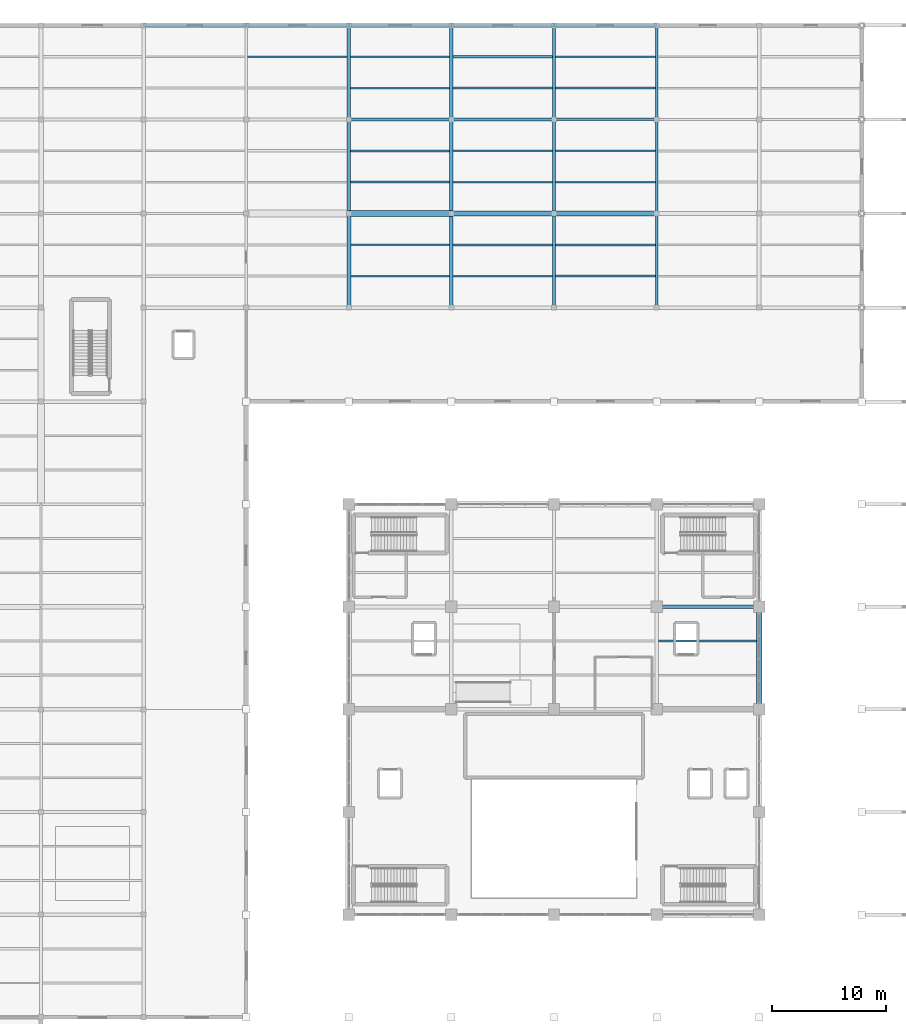
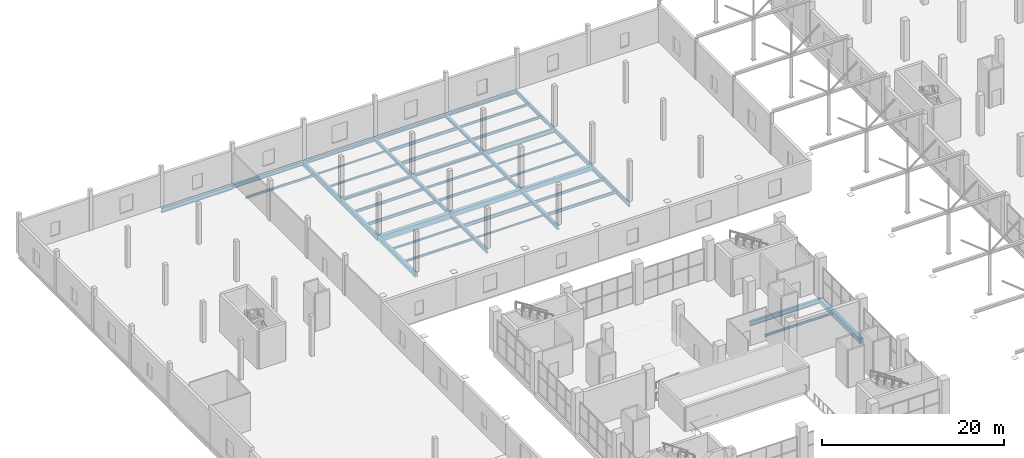
# One storey, part 56 of 147: 45 beams.
"""IFC4 building model written with IfcOpenShell, lengths in metres."""

from ifc_helpers import new_model, si_unit, direction, frame, origin, origin_2d, place, context, subcontext, project, spatial, rectangle, i_section, extrude, material, material_profile, profile_set, type_object, element, save


model = new_model("IFC4")

# Units and contexts
model_context = context("Model", 3, precision=1e-05, world=origin(), true_north=direction((0.0, 1.0)))
body_context = subcontext(model_context, "Body", "Model", "MODEL_VIEW")
ifc_project = project(units=[si_unit("LENGTHUNIT", "METRE"), si_unit("AREAUNIT", "SQUARE_METRE"), si_unit("VOLUMEUNIT", "CUBIC_METRE"), si_unit("PLANEANGLEUNIT", "RADIAN"), si_unit("MASSUNIT", "GRAM", prefix="KILO")], contexts=[model_context])

# Site, building, storey
site_placement = place(None, origin())
site = spatial("IfcSite", under=ifc_project, at=site_placement, CompositionType="ELEMENT")
building_placement = place(site_placement, origin())
building = spatial("IfcBuilding", under=site, at=building_placement, Name="Sundgate Opera House", CompositionType="ELEMENT")
storey_placement = place(building_placement, frame((0.0, 0.0, 6.0)))
storey = spatial("IfcBuildingStorey", under=building, at=storey_placement, Name="L01", CompositionType="ELEMENT", Elevation=6.0)

# Beams
ifc_material_1 = material(Name="Steel S355J2", Category="steel")
ifc_material_profile_1 = material_profile(ifc_material_1, i_section(OverallWidth=0.300048828125, OverallDepth=0.330078125, WebThickness=0.009521484375, FlangeThickness=0.0166015625, at=origin_2d()), Name="HEA 340")
ifc_profile_set_1 = profile_set([ifc_material_profile_1], Name="Steel S355J2")
beam_type_1 = type_object("IfcBeamType", Name="BM-GR-HEA340", PredefinedType="BEAM", material=ifc_profile_set_1)
beam_1_placement = place(storey_placement, frame((45.0, 111.75, -0.465087890625), z_axis=(1.0, 0.0, 0.0), x_axis=(0.0, 1.0, 0.0)))
element("IfcBeam", 1, at=beam_1_placement, inside=storey, type_object=beam_type_1, Name="L01 Primary E-W Girder B1437", PredefinedType="BEAM", context=body_context, shape_type="SweptSolid", body=[
    extrude(i_section(OverallWidth=0.300048828125, OverallDepth=0.330078125, WebThickness=0.009521484375, FlangeThickness=0.0166015625, at=origin_2d()), origin(), (0.0, 0.0, 1.0), 9.0),
])
ifc_material_2 = material(Name="Steel S355J2", Category="steel")
ifc_material_profile_2 = material_profile(ifc_material_2, i_section(OverallWidth=0.300048828125, OverallDepth=0.35009765625, WebThickness=0.010009765625, FlangeThickness=0.017578125, at=origin_2d()), Name="HEA 360")
ifc_profile_set_2 = profile_set([ifc_material_profile_2], Name="Steel S355J2")
beam_type_2 = type_object("IfcBeamType", Name="BM-GR-HEA360", PredefinedType="BEAM", material=ifc_profile_set_2)
for number, where, z_axis, x_axis, name in (
    (2, (36.0, 111.75, -0.47509765625), (1.0, 0.0, 0.0), (0.0, 1.0, 0.0), "L01 Primary E-W Girder B1436"),
    (3, (54.0, 120.0, -0.47509765625), (1.0, 0.0, 0.0), (0.0, 1.0, 0.0), "L01 Primary E-W Girder B1458"),
):
    element("IfcBeam", number, at=place(storey_placement, frame(where, z_axis=z_axis, x_axis=x_axis)), inside=storey, type_object=beam_type_2, Name=name, PredefinedType="BEAM", context=body_context, shape_type="SweptSolid", body=[
        extrude(i_section(OverallWidth=0.300048828125, OverallDepth=0.35009765625, WebThickness=0.010009765625, FlangeThickness=0.017578125, at=origin_2d()), origin(), (0.0, 0.0, 1.0), 9.0),
    ])
ifc_material_3 = material(Name="Steel S355J2", Category="steel")
ifc_material_profile_3 = material_profile(ifc_material_3, i_section(OverallWidth=0.300048828125, OverallDepth=0.389892578125, WebThickness=0.010986328125, FlangeThickness=0.01904296875, at=origin_2d()), Name="HEA 400")
ifc_profile_set_3 = profile_set([ifc_material_profile_3], Name="Steel S355J2")
beam_type_3 = type_object("IfcBeamType", Name="BM-GR-HEA400", PredefinedType="BEAM", material=ifc_profile_set_3)
beam_2_placement = place(storey_placement, frame((54.0, 111.75, -0.4951171875), z_axis=(0.0, 1.0, 0.0), x_axis=(-1.0, 0.0, 0.0)))
element("IfcBeam", 4, at=beam_2_placement, inside=storey, type_object=beam_type_3, Name="L01 Primary N-S Girder B1127", PredefinedType="BEAM", context=body_context, shape_type="SweptSolid", body=[
    extrude(i_section(OverallWidth=0.300048828125, OverallDepth=0.389892578125, WebThickness=0.010986328125, FlangeThickness=0.01904296875, at=origin_2d()), origin(), (0.0, 0.0, 1.0), 8.25),
])
beam_3_placement = place(storey_placement, frame((45.0, 120.0, -0.4951171875), z_axis=(1.0, 0.0, 0.0), x_axis=(0.0, 1.0, 0.0)))
element("IfcBeam", 5, at=beam_3_placement, inside=storey, type_object=beam_type_3, Name="L01 Primary E-W Girder B1457", PredefinedType="BEAM", context=body_context, shape_type="SweptSolid", body=[
    extrude(i_section(OverallWidth=0.300048828125, OverallDepth=0.389892578125, WebThickness=0.010986328125, FlangeThickness=0.01904296875, at=origin_2d()), origin(), (0.0, 0.0, 1.0), 9.0),
])
ifc_material_4 = material(Name="Steel S355J2", Category="steel")
ifc_material_profile_4 = material_profile(ifc_material_4, i_section(OverallWidth=0.300048828125, OverallDepth=0.43994140625, WebThickness=0.011474609375, FlangeThickness=0.02099609375, at=origin_2d()), Name="HEA 450")
ifc_profile_set_4 = profile_set([ifc_material_profile_4], Name="Steel S355J2")
beam_type_4 = type_object("IfcBeamType", Name="BM-GR-HEA450", PredefinedType="BEAM", material=ifc_profile_set_4)
beam_4_placement = place(storey_placement, frame((54.0, 103.5, -0.52001953125), z_axis=(0.0, 1.0, 0.0), x_axis=(-1.0, 0.0, 0.0)))
element("IfcBeam", 6, at=beam_4_placement, inside=storey, type_object=beam_type_4, Name="L01 Primary N-S Girder B1126", PredefinedType="BEAM", context=body_context, shape_type="SweptSolid", body=[
    extrude(i_section(OverallWidth=0.300048828125, OverallDepth=0.43994140625, WebThickness=0.011474609375, FlangeThickness=0.02099609375, at=origin_2d()), origin(), (0.0, 0.0, 1.0), 8.25),
])
beam_5_placement = place(storey_placement, frame((36.0, 120.0, -0.52001953125), z_axis=(1.0, 0.0, 0.0), x_axis=(0.0, 1.0, 0.0)))
element("IfcBeam", 7, at=beam_5_placement, inside=storey, type_object=beam_type_4, Name="L01 Primary E-W Girder B1456", PredefinedType="BEAM", context=body_context, shape_type="SweptSolid", body=[
    extrude(i_section(OverallWidth=0.300048828125, OverallDepth=0.43994140625, WebThickness=0.011474609375, FlangeThickness=0.02099609375, at=origin_2d()), origin(), (0.0, 0.0, 1.0), 9.0),
])
ifc_material_5 = material(Name="Steel S355J2", Category="steel")
ifc_material_profile_5 = material_profile(ifc_material_5, i_section(OverallWidth=0.300048828125, OverallDepth=0.489990234375, WebThickness=0.011962890625, FlangeThickness=0.02294921875, at=origin_2d()), Name="HEA 500")
ifc_profile_set_5 = profile_set([ifc_material_profile_5], Name="Steel S355J2")
beam_type_5 = type_object("IfcBeamType", Name="BM-GR-HEA500", PredefinedType="BEAM", material=ifc_profile_set_5)
beam_6_placement = place(storey_placement, frame((54.0, 95.25, -0.544921875), z_axis=(0.0, 1.0, 0.0), x_axis=(-1.0, 0.0, 0.0)))
element("IfcBeam", 8, at=beam_6_placement, inside=storey, type_object=beam_type_5, Name="L01 Primary N-S Girder B1125", PredefinedType="BEAM", context=body_context, shape_type="SweptSolid", body=[
    extrude(i_section(OverallWidth=0.300048828125, OverallDepth=0.489990234375, WebThickness=0.011962890625, FlangeThickness=0.02294921875, at=origin_2d()), origin(), (0.0, 0.0, 1.0), 8.25),
])
beam_7_placement = place(storey_placement, frame((27.0, 120.0, -0.544921875), z_axis=(1.0, 0.0, 0.0), x_axis=(0.0, 1.0, 0.0)))
element("IfcBeam", 9, at=beam_7_placement, inside=storey, type_object=beam_type_5, Name="L01 Primary E-W Girder B1455", PredefinedType="BEAM", context=body_context, shape_type="SweptSolid", body=[
    extrude(i_section(OverallWidth=0.300048828125, OverallDepth=0.489990234375, WebThickness=0.011962890625, FlangeThickness=0.02294921875, at=origin_2d()), origin(), (0.0, 0.0, 1.0), 9.0),
])
ifc_material_6 = material(Name="Steel S355J2", Category="steel")
ifc_material_profile_6 = material_profile(ifc_material_6, i_section(OverallWidth=0.300048828125, OverallDepth=0.590087890625, WebThickness=0.012939453125, FlangeThickness=0.02490234375, at=origin_2d()), Name="HEA 600")
ifc_profile_set_6 = profile_set([ifc_material_profile_6], Name="Steel S355J2")
beam_type_6 = type_object("IfcBeamType", Name="BM-GR-HEA600", PredefinedType="BEAM", material=ifc_profile_set_6)
beam_8_placement = place(storey_placement, frame((18.0, 120.0, -0.594970703125), z_axis=(1.0, 0.0, 0.0), x_axis=(0.0, 1.0, 0.0)))
element("IfcBeam", 10, at=beam_8_placement, inside=storey, type_object=beam_type_6, Name="L01 Primary E-W Girder B1454", PredefinedType="BEAM", context=body_context, shape_type="SweptSolid", body=[
    extrude(i_section(OverallWidth=0.300048828125, OverallDepth=0.590087890625, WebThickness=0.012939453125, FlangeThickness=0.02490234375, at=origin_2d()), origin(), (0.0, 0.0, 1.0), 9.0),
])
ifc_material_7 = material(Name="Steel S355J2", Category="steel")
ifc_material_profile_7 = material_profile(ifc_material_7, i_section(OverallWidth=0.300048828125, OverallDepth=0.39990234375, WebThickness=0.013427734375, FlangeThickness=0.02392578125, at=origin_2d()), Name="HEB 400")
ifc_profile_set_7 = profile_set([ifc_material_profile_7], Name="Steel S355J2")
beam_type_7 = type_object("IfcBeamType", Name="BM-GR-HEB400", PredefinedType="BEAM", material=ifc_profile_set_7)
beam_9_placement = place(storey_placement, frame((45.0, 111.75, -0.5), z_axis=(0.0, 1.0, 0.0), x_axis=(-1.0, 0.0, 0.0)))
element("IfcBeam", 11, at=beam_9_placement, inside=storey, type_object=beam_type_7, Name="L01 Primary N-S Girder B1122", PredefinedType="BEAM", context=body_context, shape_type="SweptSolid", body=[
    extrude(i_section(OverallWidth=0.300048828125, OverallDepth=0.39990234375, WebThickness=0.013427734375, FlangeThickness=0.02392578125, at=origin_2d()), origin(), (0.0, 0.0, 1.0), 8.25),
])
ifc_material_8 = material(Name="Steel S355J2", Category="steel")
ifc_material_profile_8 = material_profile(ifc_material_8, i_section(OverallWidth=0.300048828125, OverallDepth=0.449951171875, WebThickness=0.013916015625, FlangeThickness=0.02587890625, at=origin_2d()), Name="HEB 450")
ifc_profile_set_8 = profile_set([ifc_material_profile_8], Name="Steel S355J2")
beam_type_8 = type_object("IfcBeamType", Name="BM-GR-HEB450", PredefinedType="BEAM", material=ifc_profile_set_8)
beam_10_placement = place(storey_placement, frame((45.0, 103.5, -0.52490234375), z_axis=(0.0, 1.0, 0.0), x_axis=(-1.0, 0.0, 0.0)))
element("IfcBeam", 12, at=beam_10_placement, inside=storey, type_object=beam_type_8, Name="L01 Primary N-S Girder B1121", PredefinedType="BEAM", context=body_context, shape_type="SweptSolid", body=[
    extrude(i_section(OverallWidth=0.300048828125, OverallDepth=0.449951171875, WebThickness=0.013916015625, FlangeThickness=0.02587890625, at=origin_2d()), origin(), (0.0, 0.0, 1.0), 8.25),
])
ifc_material_9 = material(Name="Steel S355J2", Category="steel")
ifc_material_profile_9 = material_profile(ifc_material_9, i_section(OverallWidth=0.300048828125, OverallDepth=0.5, WebThickness=0.014404296875, FlangeThickness=0.028076171875, at=origin_2d()), Name="HEB 500")
ifc_profile_set_9 = profile_set([ifc_material_profile_9], Name="Steel S355J2")
beam_type_9 = type_object("IfcBeamType", Name="BM-GR-HEB500", PredefinedType="BEAM", material=ifc_profile_set_9)
beam_11_placement = place(storey_placement, frame((45.0, 95.25, -0.550048828125), z_axis=(0.0, 1.0, 0.0), x_axis=(-1.0, 0.0, 0.0)))
element("IfcBeam", 13, at=beam_11_placement, inside=storey, type_object=beam_type_9, Name="L01 Primary N-S Girder B1120", PredefinedType="BEAM", context=body_context, shape_type="SweptSolid", body=[
    extrude(i_section(OverallWidth=0.300048828125, OverallDepth=0.5, WebThickness=0.014404296875, FlangeThickness=0.028076171875, at=origin_2d()), origin(), (0.0, 0.0, 1.0), 8.25),
])
ifc_material_10 = material(Name="Steel S355J2", Category="steel")
ifc_material_profile_10 = material_profile(ifc_material_10, i_section(OverallWidth=0.300048828125, OverallDepth=0.60009765625, WebThickness=0.015380859375, FlangeThickness=0.030029296875, at=origin_2d()), Name="HEB 600")
ifc_profile_set_10 = profile_set([ifc_material_profile_10], Name="Steel S355J2")
beam_type_10 = type_object("IfcBeamType", Name="BM-GR-HEB600", PredefinedType="BEAM", material=ifc_profile_set_10)
beam_12_placement = place(storey_placement, frame((63.0, 69.0, -0.60009765625), z_axis=(1.0, 0.0, 0.0), x_axis=(0.0, 1.0, 0.0)))
element("IfcBeam", 14, at=beam_12_placement, inside=storey, type_object=beam_type_10, Name="L01 Primary E-W Girder B1360", PredefinedType="BEAM", context=body_context, shape_type="SweptSolid", body=[
    extrude(i_section(OverallWidth=0.300048828125, OverallDepth=0.60009765625, WebThickness=0.015380859375, FlangeThickness=0.030029296875, at=origin_2d()), origin(), (0.0, 0.0, 1.0), 9.0),
])
ifc_material_11 = material(Name="Steel S355J2", Category="steel")
ifc_material_profile_11 = material_profile(ifc_material_11, i_section(OverallWidth=0.300048828125, OverallDepth=0.64990234375, WebThickness=0.01611328125, FlangeThickness=0.031005859375, at=origin_2d()), Name="HEB 650")
ifc_profile_set_11 = profile_set([ifc_material_profile_11], Name="Steel S355J2")
beam_type_11 = type_object("IfcBeamType", Name="BM-GR-HEB650", PredefinedType="BEAM", material=ifc_profile_set_11)
beam_13_placement = place(storey_placement, frame((36.0, 111.75, -0.625), z_axis=(0.0, 1.0, 0.0), x_axis=(-1.0, 0.0, 0.0)))
element("IfcBeam", 15, at=beam_13_placement, inside=storey, type_object=beam_type_11, Name="L01 Primary N-S Girder B1117", PredefinedType="BEAM", context=body_context, shape_type="SweptSolid", body=[
    extrude(i_section(OverallWidth=0.300048828125, OverallDepth=0.64990234375, WebThickness=0.01611328125, FlangeThickness=0.031005859375, at=origin_2d()), origin(), (0.0, 0.0, 1.0), 8.25),
])
ifc_material_12 = material(Name="Steel S355J2", Category="steel")
ifc_material_profile_12 = material_profile(ifc_material_12, i_section(OverallWidth=0.300048828125, OverallDepth=0.699951171875, WebThickness=0.01708984375, FlangeThickness=0.031982421875, at=origin_2d()), Name="HEB 700")
ifc_profile_set_12 = profile_set([ifc_material_profile_12], Name="Steel S355J2")
beam_type_12 = type_object("IfcBeamType", Name="BM-GR-HEB700", PredefinedType="BEAM", material=ifc_profile_set_12)
beam_14_placement = place(storey_placement, frame((36.0, 103.5, -0.64990234375), z_axis=(0.0, 1.0, 0.0), x_axis=(-1.0, 0.0, 0.0)))
element("IfcBeam", 16, at=beam_14_placement, inside=storey, type_object=beam_type_12, Name="L01 Primary N-S Girder B1116", PredefinedType="BEAM", context=body_context, shape_type="SweptSolid", body=[
    extrude(i_section(OverallWidth=0.300048828125, OverallDepth=0.699951171875, WebThickness=0.01708984375, FlangeThickness=0.031982421875, at=origin_2d()), origin(), (0.0, 0.0, 1.0), 8.25),
])
ifc_material_13 = material(Name="Steel S355J2", Category="steel")
ifc_material_profile_13 = material_profile(ifc_material_13, i_section(OverallWidth=0.199951171875, OverallDepth=0.5, WebThickness=0.01025390625, FlangeThickness=0.01611328125, at=origin_2d()), Name="IPE 500")
ifc_profile_set_13 = profile_set([ifc_material_profile_13], Name="Steel S355J2")
beam_type_13 = type_object("IfcBeamType", Name="BM-GR-IPE500", PredefinedType="BEAM", material=ifc_profile_set_13)
beam_15_placement = place(storey_placement, frame((63.0, 111.75, -0.550048828125), z_axis=(0.0, 1.0, 0.0), x_axis=(-1.0, 0.0, 0.0)))
element("IfcBeam", 17, at=beam_15_placement, inside=storey, type_object=beam_type_13, Name="L01 Primary N-S Girder B1132", PredefinedType="BEAM", context=body_context, shape_type="SweptSolid", body=[
    extrude(i_section(OverallWidth=0.199951171875, OverallDepth=0.5, WebThickness=0.01025390625, FlangeThickness=0.01611328125, at=origin_2d()), origin(), (0.0, 0.0, 1.0), 8.25),
])
ifc_material_14 = material(Name="Steel S355J2", Category="steel")
ifc_material_profile_14 = material_profile(ifc_material_14, i_section(OverallWidth=0.2099609375, OverallDepth=0.550048828125, WebThickness=0.010986328125, FlangeThickness=0.01708984375, at=origin_2d()), Name="IPE 550")
ifc_profile_set_14 = profile_set([ifc_material_profile_14], Name="Steel S355J2")
beam_type_14 = type_object("IfcBeamType", Name="BM-GR-IPE550", PredefinedType="BEAM", material=ifc_profile_set_14)
beam_16_placement = place(storey_placement, frame((63.0, 103.5, -0.574951171875), z_axis=(0.0, 1.0, 0.0), x_axis=(-1.0, 0.0, 0.0)))
element("IfcBeam", 18, at=beam_16_placement, inside=storey, type_object=beam_type_14, Name="L01 Primary N-S Girder B1131", PredefinedType="BEAM", context=body_context, shape_type="SweptSolid", body=[
    extrude(i_section(OverallWidth=0.2099609375, OverallDepth=0.550048828125, WebThickness=0.010986328125, FlangeThickness=0.01708984375, at=origin_2d()), origin(), (0.0, 0.0, 1.0), 8.25),
])
ifc_material_15 = material(Name="Steel S355J2", Category="steel")
ifc_material_profile_15 = material_profile(ifc_material_15, i_section(OverallWidth=0.219970703125, OverallDepth=0.60009765625, WebThickness=0.011962890625, FlangeThickness=0.01904296875, at=origin_2d()), Name="IPE 600")
ifc_profile_set_15 = profile_set([ifc_material_profile_15], Name="Steel S355J2")
beam_type_15 = type_object("IfcBeamType", Name="BM-GR-IPE600", PredefinedType="BEAM", material=ifc_profile_set_15)
beam_17_placement = place(storey_placement, frame((63.0, 95.25, -0.60009765625), z_axis=(0.0, 1.0, 0.0), x_axis=(-1.0, 0.0, 0.0)))
element("IfcBeam", 19, at=beam_17_placement, inside=storey, type_object=beam_type_15, Name="L01 Primary N-S Girder B1130", PredefinedType="BEAM", context=body_context, shape_type="SweptSolid", body=[
    extrude(i_section(OverallWidth=0.219970703125, OverallDepth=0.60009765625, WebThickness=0.011962890625, FlangeThickness=0.01904296875, at=origin_2d()), origin(), (0.0, 0.0, 1.0), 8.25),
])
beam_18_placement = place(storey_placement, frame((54.0, 111.75, -0.60009765625), z_axis=(1.0, 0.0, 0.0), x_axis=(0.0, 1.0, 0.0)))
element("IfcBeam", 20, at=beam_18_placement, inside=storey, type_object=beam_type_15, Name="L01 Primary E-W Girder B1438", PredefinedType="BEAM", context=body_context, shape_type="SweptSolid", body=[
    extrude(i_section(OverallWidth=0.219970703125, OverallDepth=0.60009765625, WebThickness=0.011962890625, FlangeThickness=0.01904296875, at=origin_2d()), origin(), (0.0, 0.0, 1.0), 9.0),
])
ifc_material_16 = material(Name="Steel S355J2", Category="steel")
ifc_material_profile_16 = material_profile(ifc_material_16, i_section(OverallWidth=0.1201171875, OverallDepth=0.239990234375, WebThickness=0.006103515625, FlangeThickness=0.009765625, at=origin_2d()), Name="IPE 240")
ifc_profile_set_16 = profile_set([ifc_material_profile_16], Name="Steel S355J2")
beam_type_16 = type_object("IfcBeamType", Name="BM-JS-IPE240", PredefinedType="JOIST", material=ifc_profile_set_16)
beam_19_placement = place(storey_placement, frame((45.14990234375, 98.0, -0.419921875), z_axis=(1.0, 0.0, 0.0), x_axis=(0.0, 1.0, 0.0)))
element("IfcBeam", 21, at=beam_19_placement, inside=storey, type_object=beam_type_16, Name="L01 Secondary Floor Joist B1686", PredefinedType="JOIST", context=body_context, shape_type="SweptSolid", body=[
    extrude(i_section(OverallWidth=0.1201171875, OverallDepth=0.239990234375, WebThickness=0.006103515625, FlangeThickness=0.009765625, at=origin_2d()), origin(), (0.0, 0.0, 1.0), 8.7001953125),
])
beam_20_placement = place(storey_placement, frame((54.14990234375, 109.0, -0.419921875), z_axis=(1.0, 0.0, 0.0), x_axis=(0.0, 1.0, 0.0)))
element("IfcBeam", 22, at=beam_20_placement, inside=storey, type_object=beam_type_16, Name="L01 Secondary Floor Joist B1721", PredefinedType="JOIST", context=body_context, shape_type="SweptSolid", body=[
    extrude(i_section(OverallWidth=0.1201171875, OverallDepth=0.239990234375, WebThickness=0.006103515625, FlangeThickness=0.009765625, at=origin_2d()), origin(), (0.0, 0.0, 1.0), 8.7451171875),
])
beam_21_placement = place(storey_placement, frame((36.14990234375, 117.25, -0.419921875), z_axis=(1.0, 0.0, 0.0), x_axis=(0.0, 1.0, 0.0)))
element("IfcBeam", 23, at=beam_21_placement, inside=storey, type_object=beam_type_16, Name="L01 Secondary Floor Joist B1749", PredefinedType="JOIST", context=body_context, shape_type="SweptSolid", body=[
    extrude(i_section(OverallWidth=0.1201171875, OverallDepth=0.239990234375, WebThickness=0.006103515625, FlangeThickness=0.009765625, at=origin_2d()), origin(), (0.0, 0.0, 1.0), 8.7001953125),
])
ifc_material_17 = material(Name="Steel S355J2", Category="steel")
ifc_material_profile_17 = material_profile(ifc_material_17, i_section(OverallWidth=0.135009765625, OverallDepth=0.27001953125, WebThickness=0.006591796875, FlangeThickness=0.01025390625, at=origin_2d()), Name="IPE 270")
ifc_profile_set_17 = profile_set([ifc_material_profile_17], Name="Steel S355J2")
beam_type_17 = type_object("IfcBeamType", Name="BM-JS-IPE270", PredefinedType="JOIST", material=ifc_profile_set_17)
beam_22_placement = place(storey_placement, frame((36.175048828125, 100.75, -0.43505859375), z_axis=(1.0, 0.0, 0.0), x_axis=(0.0, 1.0, 0.0)))
element("IfcBeam", 24, at=beam_22_placement, inside=storey, type_object=beam_type_17, Name="L01 Secondary Floor Joist B1685", PredefinedType="JOIST", context=body_context, shape_type="SweptSolid", body=[
    extrude(i_section(OverallWidth=0.135009765625, OverallDepth=0.27001953125, WebThickness=0.006591796875, FlangeThickness=0.01025390625, at=origin_2d()), origin(), (0.0, 0.0, 1.0), 8.675048828125),
])
beam_23_placement = place(storey_placement, frame((54.14990234375, 106.25, -0.43505859375), z_axis=(1.0, 0.0, 0.0), x_axis=(0.0, 1.0, 0.0)))
element("IfcBeam", 25, at=beam_23_placement, inside=storey, type_object=beam_type_17, Name="L01 Secondary Floor Joist B1720", PredefinedType="JOIST", context=body_context, shape_type="SweptSolid", body=[
    extrude(i_section(OverallWidth=0.135009765625, OverallDepth=0.27001953125, WebThickness=0.006591796875, FlangeThickness=0.01025390625, at=origin_2d()), origin(), (0.0, 0.0, 1.0), 8.7451171875),
])
beam_24_placement = place(storey_placement, frame((36.14990234375, 114.5, -0.43505859375), z_axis=(1.0, 0.0, 0.0), x_axis=(0.0, 1.0, 0.0)))
element("IfcBeam", 26, at=beam_24_placement, inside=storey, type_object=beam_type_17, Name="L01 Secondary Floor Joist B1748", PredefinedType="JOIST", context=body_context, shape_type="SweptSolid", body=[
    extrude(i_section(OverallWidth=0.135009765625, OverallDepth=0.27001953125, WebThickness=0.006591796875, FlangeThickness=0.01025390625, at=origin_2d()), origin(), (0.0, 0.0, 1.0), 8.7001953125),
])
ifc_material_18 = material(Name="Steel S355J2", Category="steel")
ifc_material_profile_18 = material_profile(ifc_material_18, i_section(OverallWidth=0.14990234375, OverallDepth=0.300048828125, WebThickness=0.007080078125, FlangeThickness=0.0107421875, at=origin_2d()), Name="IPE 300")
ifc_profile_set_18 = profile_set([ifc_material_profile_18], Name="Steel S355J2")
beam_type_18 = type_object("IfcBeamType", Name="BM-JS-IPE300", PredefinedType="JOIST", material=ifc_profile_set_18)
beam_25_placement = place(storey_placement, frame((63.14990234375, 66.0, -0.449951171875), z_axis=(1.0, 0.0, 0.0), x_axis=(0.0, 1.0, 0.0)))
element("IfcBeam", 27, at=beam_25_placement, inside=storey, type_object=beam_type_18, Name="L01 Secondary Floor Joist B1593", PredefinedType="JOIST", context=body_context, shape_type="SweptSolid", body=[
    extrude(i_section(OverallWidth=0.14990234375, OverallDepth=0.300048828125, WebThickness=0.007080078125, FlangeThickness=0.0107421875, at=origin_2d()), origin(), (0.0, 0.0, 1.0), 8.625),
])
beam_26_placement = place(storey_placement, frame((36.175048828125, 98.0, -0.449951171875), z_axis=(1.0, 0.0, 0.0), x_axis=(0.0, 1.0, 0.0)))
element("IfcBeam", 28, at=beam_26_placement, inside=storey, type_object=beam_type_18, Name="L01 Secondary Floor Joist B1684", PredefinedType="JOIST", context=body_context, shape_type="SweptSolid", body=[
    extrude(i_section(OverallWidth=0.14990234375, OverallDepth=0.300048828125, WebThickness=0.007080078125, FlangeThickness=0.0107421875, at=origin_2d()), origin(), (0.0, 0.0, 1.0), 8.675048828125),
])
beam_27_placement = place(storey_placement, frame((45.14990234375, 109.0, -0.449951171875), z_axis=(1.0, 0.0, 0.0), x_axis=(0.0, 1.0, 0.0)))
element("IfcBeam", 29, at=beam_27_placement, inside=storey, type_object=beam_type_18, Name="L01 Secondary Floor Joist B1719", PredefinedType="JOIST", context=body_context, shape_type="SweptSolid", body=[
    extrude(i_section(OverallWidth=0.14990234375, OverallDepth=0.300048828125, WebThickness=0.007080078125, FlangeThickness=0.0107421875, at=origin_2d()), origin(), (0.0, 0.0, 1.0), 8.7001953125),
])
beam_28_placement = place(storey_placement, frame((27.10009765625, 117.25, -0.449951171875), z_axis=(1.0, 0.0, 0.0), x_axis=(0.0, 1.0, 0.0)))
element("IfcBeam", 30, at=beam_28_placement, inside=storey, type_object=beam_type_18, Name="L01 Secondary Floor Joist B1747", PredefinedType="JOIST", context=body_context, shape_type="SweptSolid", body=[
    extrude(i_section(OverallWidth=0.14990234375, OverallDepth=0.300048828125, WebThickness=0.007080078125, FlangeThickness=0.0107421875, at=origin_2d()), origin(), (0.0, 0.0, 1.0), 8.75),
])
ifc_material_19 = material(Name="Steel S355J2", Category="steel")
ifc_material_profile_19 = material_profile(ifc_material_19, i_section(OverallWidth=0.159912109375, OverallDepth=0.330078125, WebThickness=0.007568359375, FlangeThickness=0.011474609375, at=origin_2d()), Name="IPE 330")
ifc_profile_set_19 = profile_set([ifc_material_profile_19], Name="Steel S355J2")
beam_type_19 = type_object("IfcBeamType", Name="BM-JS-IPE330", PredefinedType="JOIST", material=ifc_profile_set_19)
beam_29_placement = place(storey_placement, frame((45.14990234375, 106.25, -0.465087890625), z_axis=(1.0, 0.0, 0.0), x_axis=(0.0, 1.0, 0.0)))
element("IfcBeam", 31, at=beam_29_placement, inside=storey, type_object=beam_type_19, Name="L01 Secondary Floor Joist B1718", PredefinedType="JOIST", context=body_context, shape_type="SweptSolid", body=[
    extrude(i_section(OverallWidth=0.159912109375, OverallDepth=0.330078125, WebThickness=0.007568359375, FlangeThickness=0.011474609375, at=origin_2d()), origin(), (0.0, 0.0, 1.0), 8.7001953125),
])
beam_30_placement = place(storey_placement, frame((54.14990234375, 117.25, -0.465087890625), z_axis=(1.0, 0.0, 0.0), x_axis=(0.0, 1.0, 0.0)))
element("IfcBeam", 32, at=beam_30_placement, inside=storey, type_object=beam_type_19, Name="L01 Secondary Floor Joist B1753", PredefinedType="JOIST", context=body_context, shape_type="SweptSolid", body=[
    extrude(i_section(OverallWidth=0.159912109375, OverallDepth=0.330078125, WebThickness=0.007568359375, FlangeThickness=0.011474609375, at=origin_2d()), origin(), (0.0, 0.0, 1.0), 8.75),
])
ifc_material_20 = material(Name="Steel S355J2", Category="steel")
ifc_material_profile_20 = material_profile(ifc_material_20, i_section(OverallWidth=0.169921875, OverallDepth=0.360107421875, WebThickness=0.008056640625, FlangeThickness=0.0126953125, at=origin_2d()), Name="IPE 360")
ifc_profile_set_20 = profile_set([ifc_material_profile_20], Name="Steel S355J2")
beam_type_20 = type_object("IfcBeamType", Name="BM-JS-IPE360", PredefinedType="JOIST", material=ifc_profile_set_20)
beam_31_placement = place(storey_placement, frame((54.14990234375, 100.75, -0.47998046875), z_axis=(1.0, 0.0, 0.0), x_axis=(0.0, 1.0, 0.0)))
element("IfcBeam", 33, at=beam_31_placement, inside=storey, type_object=beam_type_20, Name="L01 Secondary Floor Joist B1689", PredefinedType="JOIST", context=body_context, shape_type="SweptSolid", body=[
    extrude(i_section(OverallWidth=0.169921875, OverallDepth=0.360107421875, WebThickness=0.008056640625, FlangeThickness=0.0126953125, at=origin_2d()), origin(), (0.0, 0.0, 1.0), 8.739990234375),
])
beam_32_placement = place(storey_placement, frame((36.14990234375, 109.0, -0.47998046875), z_axis=(1.0, 0.0, 0.0), x_axis=(0.0, 1.0, 0.0)))
element("IfcBeam", 34, at=beam_32_placement, inside=storey, type_object=beam_type_20, Name="L01 Secondary Floor Joist B1717", PredefinedType="JOIST", context=body_context, shape_type="SweptSolid", body=[
    extrude(i_section(OverallWidth=0.169921875, OverallDepth=0.360107421875, WebThickness=0.008056640625, FlangeThickness=0.0126953125, at=origin_2d()), origin(), (0.0, 0.0, 1.0), 8.7001953125),
])
beam_33_placement = place(storey_placement, frame((54.14990234375, 114.5, -0.47998046875), z_axis=(1.0, 0.0, 0.0), x_axis=(0.0, 1.0, 0.0)))
element("IfcBeam", 35, at=beam_33_placement, inside=storey, type_object=beam_type_20, Name="L01 Secondary Floor Joist B1752", PredefinedType="JOIST", context=body_context, shape_type="SweptSolid", body=[
    extrude(i_section(OverallWidth=0.169921875, OverallDepth=0.360107421875, WebThickness=0.008056640625, FlangeThickness=0.0126953125, at=origin_2d()), origin(), (0.0, 0.0, 1.0), 8.75),
])
ifc_material_21 = material(Name="Steel S355J2", Category="steel")
ifc_material_profile_21 = material_profile(ifc_material_21, i_section(OverallWidth=0.179931640625, OverallDepth=0.39990234375, WebThickness=0.008544921875, FlangeThickness=0.013427734375, at=origin_2d()), Name="IPE 400")
ifc_profile_set_21 = profile_set([ifc_material_profile_21], Name="Steel S355J2")
beam_type_21 = type_object("IfcBeamType", Name="BM-JS-IPE400", PredefinedType="JOIST", material=ifc_profile_set_21)
beam_34_placement = place(storey_placement, frame((54.14990234375, 98.0, -0.5), z_axis=(1.0, 0.0, 0.0), x_axis=(0.0, 1.0, 0.0)))
element("IfcBeam", 36, at=beam_34_placement, inside=storey, type_object=beam_type_21, Name="L01 Secondary Floor Joist B1688", PredefinedType="JOIST", context=body_context, shape_type="SweptSolid", body=[
    extrude(i_section(OverallWidth=0.179931640625, OverallDepth=0.39990234375, WebThickness=0.008544921875, FlangeThickness=0.013427734375, at=origin_2d()), origin(), (0.0, 0.0, 1.0), 8.739990234375),
])
for number, where, z_axis, x_axis, name in (
    (37, (36.14990234375, 106.25, -0.5), (1.0, 0.0, 0.0), (0.0, 1.0, 0.0), "L01 Secondary Floor Joist B1716"),
    (38, (45.14990234375, 117.25, -0.5), (1.0, 0.0, 0.0), (0.0, 1.0, 0.0), "L01 Secondary Floor Joist B1751"),
):
    element("IfcBeam", number, at=place(storey_placement, frame(where, z_axis=z_axis, x_axis=x_axis)), inside=storey, type_object=beam_type_21, Name=name, PredefinedType="JOIST", context=body_context, shape_type="SweptSolid", body=[
        extrude(i_section(OverallWidth=0.179931640625, OverallDepth=0.39990234375, WebThickness=0.008544921875, FlangeThickness=0.013427734375, at=origin_2d()), origin(), (0.0, 0.0, 1.0), 8.7001953125),
    ])
ifc_material_22 = material(Name="Steel S355J2", Category="steel")
ifc_material_profile_22 = material_profile(ifc_material_22, i_section(OverallWidth=0.18994140625, OverallDepth=0.449951171875, WebThickness=0.009521484375, FlangeThickness=0.0146484375, at=origin_2d()), Name="IPE 450")
ifc_profile_set_22 = profile_set([ifc_material_profile_22], Name="Steel S355J2")
beam_type_22 = type_object("IfcBeamType", Name="BM-JS-IPE450", PredefinedType="JOIST", material=ifc_profile_set_22)
for number, where, z_axis, x_axis, name in (
    (39, (45.14990234375, 100.75, -0.52490234375), (1.0, 0.0, 0.0), (0.0, 1.0, 0.0), "L01 Secondary Floor Joist B1687"),
    (40, (45.14990234375, 114.5, -0.52490234375), (1.0, 0.0, 0.0), (0.0, 1.0, 0.0), "L01 Secondary Floor Joist B1750"),
):
    element("IfcBeam", number, at=place(storey_placement, frame(where, z_axis=z_axis, x_axis=x_axis)), inside=storey, type_object=beam_type_22, Name=name, PredefinedType="JOIST", context=body_context, shape_type="SweptSolid", body=[
        extrude(i_section(OverallWidth=0.18994140625, OverallDepth=0.449951171875, WebThickness=0.009521484375, FlangeThickness=0.0146484375, at=origin_2d()), origin(), (0.0, 0.0, 1.0), 8.7001953125),
    ])
ifc_material_23 = material(Name="Concrete C35/45", Category="concrete")
ifc_material_profile_23 = material_profile(ifc_material_23, rectangle(XDim=0.35009765625, YDim=0.550048828125, at=origin_2d()), Name="RC 350x550")
ifc_profile_set_23 = profile_set([ifc_material_profile_23], Name="Concrete C35/45")
beam_type_23 = type_object("IfcBeamType", Name="BM-RC-350x550", PredefinedType="BEAM", material=ifc_profile_set_23)
beam_35_placement = place(storey_placement, frame((36.0, 95.25, -0.574951171875), z_axis=(0.0, 1.0, 0.0), x_axis=(-1.0, 0.0, 0.0)))
element("IfcBeam", 41, at=beam_35_placement, inside=storey, type_object=beam_type_23, Name="L01 Primary N-S Girder B1115", PredefinedType="BEAM", context=body_context, shape_type="SweptSolid", body=[
    extrude(rectangle(XDim=0.35009765625, YDim=0.550048828125, at=origin_2d()), origin(), (0.0, 0.0, 1.0), 8.25),
])
ifc_material_24 = material(Name="Concrete C35/45", Category="concrete")
ifc_material_profile_24 = material_profile(ifc_material_24, rectangle(XDim=0.39990234375, YDim=0.60009765625, at=origin_2d()), Name="RC 400x600")
ifc_profile_set_24 = profile_set([ifc_material_profile_24], Name="Concrete C35/45")
beam_type_24 = type_object("IfcBeamType", Name="BM-RC-400x600", PredefinedType="BEAM", material=ifc_profile_set_24)
beam_36_placement = place(storey_placement, frame((54.0, 103.5, -0.60009765625), z_axis=(1.0, 0.0, 0.0), x_axis=(0.0, 1.0, 0.0)))
element("IfcBeam", 42, at=beam_36_placement, inside=storey, type_object=beam_type_24, Name="L01 Primary E-W Girder B1422", PredefinedType="BEAM", context=body_context, shape_type="SweptSolid", body=[
    extrude(rectangle(XDim=0.39990234375, YDim=0.60009765625, at=origin_2d()), origin(), (0.0, 0.0, 1.0), 9.0),
])
ifc_material_25 = material(Name="Concrete C35/45", Category="concrete")
ifc_material_profile_25 = material_profile(ifc_material_25, rectangle(XDim=0.449951171875, YDim=0.64990234375, at=origin_2d()), Name="RC 450x650")
ifc_profile_set_25 = profile_set([ifc_material_profile_25], Name="Concrete C35/45")
beam_type_25 = type_object("IfcBeamType", Name="BM-RC-450x650", PredefinedType="BEAM", material=ifc_profile_set_25)
for number, where, z_axis, x_axis, name in (
    (43, (72.0, 60.0, -0.625), (0.0, 1.0, 0.0), (-1.0, 0.0, 0.0), "L01 Primary N-S Girder B1135"),
    (44, (45.0, 103.5, -0.625), (1.0, 0.0, 0.0), (0.0, 1.0, 0.0), "L01 Primary E-W Girder B1421"),
):
    element("IfcBeam", number, at=place(storey_placement, frame(where, z_axis=z_axis, x_axis=x_axis)), inside=storey, type_object=beam_type_25, Name=name, PredefinedType="BEAM", context=body_context, shape_type="SweptSolid", body=[
        extrude(rectangle(XDim=0.449951171875, YDim=0.64990234375, at=origin_2d()), origin(), (0.0, 0.0, 1.0), 9.0),
    ])
ifc_material_26 = material(Name="Concrete C40/50", Category="concrete")
ifc_material_profile_26 = material_profile(ifc_material_26, rectangle(XDim=0.5, YDim=0.75, at=origin_2d()), Name="RC 500x750")
ifc_profile_set_26 = profile_set([ifc_material_profile_26], Name="Concrete C40/50")
beam_type_26 = type_object("IfcBeamType", Name="BM-RC-500x750", PredefinedType="BEAM", material=ifc_profile_set_26)
beam_37_placement = place(storey_placement, frame((36.0, 103.5, -0.675048828125), z_axis=(1.0, 0.0, 0.0), x_axis=(0.0, 1.0, 0.0)))
element("IfcBeam", 45, at=beam_37_placement, inside=storey, type_object=beam_type_26, Name="L01 Primary E-W Girder B1420", PredefinedType="BEAM", context=body_context, shape_type="SweptSolid", body=[
    extrude(rectangle(XDim=0.5, YDim=0.75, at=origin_2d()), origin(), (0.0, 0.0, 1.0), 9.0),
])

save(model, "model.ifc")
